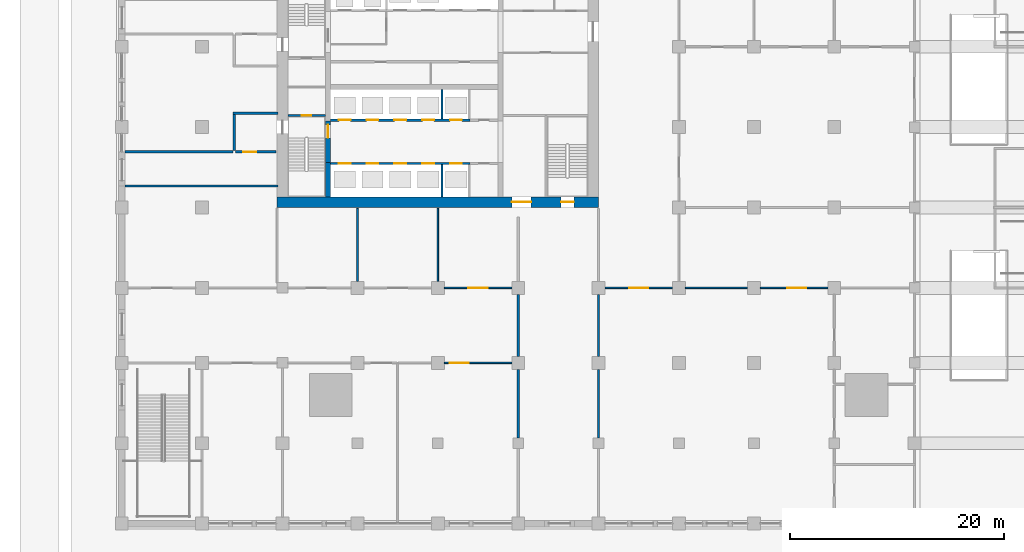
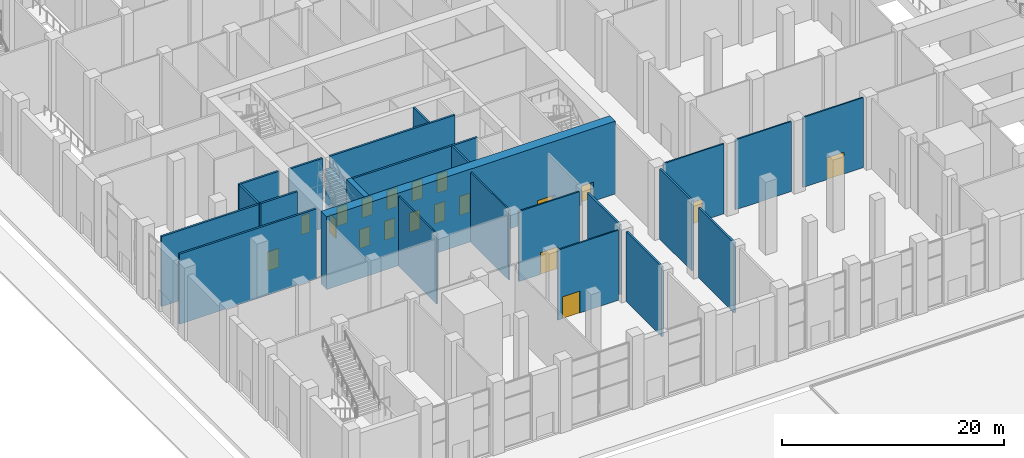
# One storey, part 25 of 57: 24 walls, 19 doors, 19 openings.
"""IFC4 building model written with IfcOpenShell, lengths in metres."""

from ifc_helpers import new_model, si_unit, direction, frame, frame_2d, origin, place, context, subcontext, project, spatial, rectangle, extrude, material, layer, layer_set, type_object, element, fill, save


model = new_model("IFC4")

# Units and contexts
model_context = context("Model", 3, precision=1e-05, world=origin(), true_north=direction((0.0, 1.0)))
body_context = subcontext(model_context, "Body", "Model", "MODEL_VIEW")
ifc_project = project(units=[si_unit("LENGTHUNIT", "METRE"), si_unit("AREAUNIT", "SQUARE_METRE"), si_unit("VOLUMEUNIT", "CUBIC_METRE"), si_unit("PLANEANGLEUNIT", "RADIAN"), si_unit("MASSUNIT", "GRAM", prefix="KILO")], contexts=[model_context])

# Site, building, storey
site_placement = place(None, origin())
site = spatial("IfcSite", under=ifc_project, at=site_placement, CompositionType="ELEMENT")
building_placement = place(site_placement, origin())
building = spatial("IfcBuilding", under=site, at=building_placement, Name="Tamorin Gate", CompositionType="ELEMENT")
storey_placement = place(building_placement, origin())
storey = spatial("IfcBuildingStorey", under=building, at=storey_placement, Name="L00", CompositionType="ELEMENT", Elevation=0.0)

# Walls
ifc_material_1 = material(Name="Reinforced concrete C32/40", Category="concrete")
ifc_layer_1 = layer(ifc_material_1, 0.199951171875)
ifc_layer_set_1 = layer_set([ifc_layer_1], Name="Exit passage wall 200")
wall_type_1 = type_object("IfcWallType", Name="Exit passage wall 200", PredefinedType="PARTITIONING", material=ifc_layer_set_1)
wall_1_placement = place(storey_placement, frame((15.800048828125, 62.0, 0.0), z_axis=(0.0, 0.0, 1.0), x_axis=(1.0, 0.0, 0.0)))
element("IfcWall", 1, at=wall_1_placement, inside=storey, type_object=wall_type_1, Name="Exit passage wall 200 L00", PredefinedType="PARTITIONING", context=body_context, shape_type="SweptSolid", body=[
    extrude(rectangle(XDim=14.27490234375, YDim=0.199951171875, at=frame_2d((7.137451171875, 0.0))), origin(), (0.0, 0.0, 1.0), 7.699951171875),
])
wall_2_placement = place(storey_placement, frame((15.800048828125, 65.199951171875, 0.0), z_axis=(0.0, 0.0, 1.0), x_axis=(1.0, 0.0, 0.0)))
element("IfcWall", 2, at=wall_2_placement, inside=storey, type_object=wall_type_1, Name="Exit passage wall 200 L00", PredefinedType="PARTITIONING", context=body_context, shape_type="SweptSolid", body=[
    extrude(rectangle(XDim=10.099853515625, YDim=0.199951171875, at=frame_2d((5.0498046875, 0.0))), origin(), (0.0, 0.0, 1.0), 7.699951171875),
])

# Wall, opening, door
wall_3_placement = place(storey_placement, frame((29.89990234375, 65.199951171875, 0.0), z_axis=(0.0, 0.0, 1.0), x_axis=(-1.0, 0.0, 0.0)))
wall_3 = element("IfcWall", 3, at=wall_3_placement, inside=storey, type_object=wall_type_1, Name="Exit passage wall 200 L00", PredefinedType="PARTITIONING", context=body_context, shape_type="SweptSolid", body=[
    extrude(rectangle(XDim=3.7998046875, YDim=0.199951171875, at=frame_2d((1.89990234375, 0.0))), origin(), (0.0, 0.0, 1.0), 7.699951171875),
])
opening_1_placement = place(wall_3_placement, frame((1.85009765625, 0.0, 0.0)))
opening_1 = element("IfcOpeningElement", 4, at=opening_1_placement, cuts=wall_3, Name="Opening DP5", PredefinedType="OPENING", context=body_context, shape_type="SweptSolid", body=[
    extrude(rectangle(XDim=1.199951171875, YDim=2.10009765625, at=frame_2d((0.60009765625, 1.050048828125))), frame((0.0, 0.10986328125, 0.0), z_axis=(0.0, -1.0, 0.0), x_axis=(1.0, 0.0, 0.0)), (0.0, 0.0, 1.0), 0.219970703125),
])
ifc_material_2 = material(Name="Painted steel", Category="steel")
door_type_1 = type_object("IfcDoorType", Name="Stair door 1200", OperationType="SINGLE_SWING_LEFT", PredefinedType="DOOR", material=ifc_material_2)
door_1_placement = place(opening_1_placement, origin())
door_1 = element("IfcDoor", 5, at=door_1_placement, inside=storey, type_object=door_type_1, Name="Stair door 1200 L00", OperationType="SINGLE_SWING_LEFT", OverallHeight=2.10009765625, OverallWidth=1.199951171875, PredefinedType="DOOR", context=body_context, shape_type="SweptSolid", body=[
    extrude(rectangle(XDim=1.199951171875, YDim=2.10009765625, at=frame_2d((0.60009765625, 1.050048828125))), frame((0.0, 0.02490234375, 0.0), z_axis=(0.0, -1.0, 0.0), x_axis=(1.0, 0.0, 0.0)), (0.0, 0.0, 1.0), 0.050048828125),
])
fill(opening_1, door_1)

# Walls
wall_4_placement = place(storey_placement, frame((25.89990234375, 68.800048828125, 0.0), z_axis=(0.0, 0.0, 1.0), x_axis=(1.0, 0.0, 0.0)))
element("IfcWall", 6, at=wall_4_placement, inside=storey, type_object=wall_type_1, Name="Exit passage wall 200 L00", PredefinedType="PARTITIONING", context=body_context, shape_type="SweptSolid", body=[
    extrude(rectangle(XDim=4.2001953125, YDim=0.199951171875, at=frame_2d((2.10009765625, 0.0))), origin(), (0.0, 0.0, 1.0), 7.699951171875),
])
wall_5_placement = place(storey_placement, frame((52.5, 38.5, 0.0), z_axis=(0.0, 0.0, 1.0), x_axis=(0.0, 1.0, 0.0)))
element("IfcWall", 7, at=wall_5_placement, inside=storey, type_object=wall_type_1, Name="Exit passage wall 200 L00", PredefinedType="PARTITIONING", context=body_context, shape_type="SweptSolid", body=[
    extrude(rectangle(XDim=6.39990234375, YDim=0.199951171875, at=frame_2d((3.199951171875, 0.0))), origin(), (0.0, 0.0, 1.0), 7.699951171875),
])
wall_6_placement = place(storey_placement, frame((52.5, 46.10009765625, 0.0), z_axis=(0.0, 0.0, 1.0), x_axis=(0.0, 1.0, 0.0)))
element("IfcWall", 8, at=wall_6_placement, inside=storey, type_object=wall_type_1, Name="Exit passage wall 200 L00", PredefinedType="PARTITIONING", context=body_context, shape_type="SweptSolid", body=[
    extrude(rectangle(XDim=5.7998046875, YDim=0.199951171875, at=frame_2d((2.89990234375, 0.0))), origin(), (0.0, 0.0, 1.0), 7.699951171875),
])
wall_7_placement = place(storey_placement, frame((60.0, 38.5, 0.0), z_axis=(0.0, 0.0, 1.0), x_axis=(0.0, 1.0, 0.0)))
element("IfcWall", 9, at=wall_7_placement, inside=storey, type_object=wall_type_1, Name="Exit passage wall 200 L00", PredefinedType="PARTITIONING", context=body_context, shape_type="SweptSolid", body=[
    extrude(rectangle(XDim=6.39990234375, YDim=0.199951171875, at=frame_2d((3.199951171875, 0.0))), origin(), (0.0, 0.0, 1.0), 7.699951171875),
])
wall_8_placement = place(storey_placement, frame((60.0, 46.10009765625, 0.0), z_axis=(0.0, 0.0, 1.0), x_axis=(0.0, 1.0, 0.0)))
element("IfcWall", 10, at=wall_8_placement, inside=storey, type_object=wall_type_1, Name="Exit passage wall 200 L00", PredefinedType="PARTITIONING", context=body_context, shape_type="SweptSolid", body=[
    extrude(rectangle(XDim=5.7998046875, YDim=0.199951171875, at=frame_2d((2.89990234375, 0.0))), origin(), (0.0, 0.0, 1.0), 7.699951171875),
])
wall_9_placement = place(storey_placement, frame((26.0, 65.300048828125, 0.0), z_axis=(0.0, 0.0, 1.0), x_axis=(0.0, 1.0, 0.0)))
element("IfcWall", 11, at=wall_9_placement, inside=storey, type_object=wall_type_1, Name="Exit passage wall 200 L00", PredefinedType="PARTITIONING", context=body_context, shape_type="SweptSolid", body=[
    extrude(rectangle(XDim=3.39990234375, YDim=0.199951171875, at=frame_2d((1.699951171875, 0.0))), origin(), (0.0, 0.0, 1.0), 7.699951171875),
])

# Wall, openings, doors
ifc_material_3 = material(Name="Concrete C32/40", Category="concrete")
ifc_layer_2 = layer(ifc_material_3, 0.199951171875)
ifc_layer_set_2 = layer_set([ifc_layer_2], Name="Lift lobby face wall 200 EI 120")
wall_type_2 = type_object("IfcWallType", Name="Lift lobby face wall 200 EI 120", PredefinedType="SOLIDWALL", material=ifc_layer_set_2)
wall_10_placement = place(storey_placement, frame((35.0, 64.10009765625, 0.0), z_axis=(0.0, 0.0, 1.0), x_axis=(1.0, 0.0, 0.0)))
wall_10 = element("IfcWall", 12, at=wall_10_placement, inside=storey, type_object=wall_type_2, Name="Lift lobby face wall", PredefinedType="SOLIDWALL", context=body_context, shape_type="SweptSolid", body=[
    extrude(rectangle(XDim=13.0, YDim=0.199951171875, at=frame_2d((6.5, 0.0))), origin(), (0.0, 0.0, 1.0), 8.0),
])
opening_2_placement = place(wall_10_placement, frame((0.75, 0.0, 0.0)))
opening_2 = element("IfcOpeningElement", 13, at=opening_2_placement, cuts=wall_10, Name="Opening LD1", PredefinedType="OPENING", context=body_context, shape_type="SweptSolid", body=[
    extrude(rectangle(XDim=1.10009765625, YDim=2.10009765625, at=frame_2d((0.550048828125, 1.050048828125))), frame((0.0, 0.10986328125, 0.0), z_axis=(0.0, -1.0, 0.0), x_axis=(1.0, 0.0, 0.0)), (0.0, 0.0, 1.0), 0.219970703125),
])
opening_3_placement = place(wall_10_placement, frame((3.35009765625, 0.0, 0.0)))
opening_3 = element("IfcOpeningElement", 14, at=opening_3_placement, cuts=wall_10, Name="Opening LD2", PredefinedType="OPENING", context=body_context, shape_type="SweptSolid", body=[
    extrude(rectangle(XDim=1.10009765625, YDim=2.10009765625, at=frame_2d((0.550048828125, 1.050048828125))), frame((0.0, 0.10986328125, 0.0), z_axis=(0.0, -1.0, 0.0), x_axis=(1.0, 0.0, 0.0)), (0.0, 0.0, 1.0), 0.219970703125),
])
opening_4_placement = place(wall_10_placement, frame((5.949951171875, 0.0, 0.0)))
opening_4 = element("IfcOpeningElement", 15, at=opening_4_placement, cuts=wall_10, Name="Opening LD3", PredefinedType="OPENING", context=body_context, shape_type="SweptSolid", body=[
    extrude(rectangle(XDim=1.10009765625, YDim=2.10009765625, at=frame_2d((0.550048828125, 1.050048828125))), frame((0.0, 0.10986328125, 0.0), z_axis=(0.0, -1.0, 0.0), x_axis=(1.0, 0.0, 0.0)), (0.0, 0.0, 1.0), 0.219970703125),
])
opening_5_placement = place(wall_10_placement, frame((8.550048828125, 0.0, 0.0)))
opening_5 = element("IfcOpeningElement", 16, at=opening_5_placement, cuts=wall_10, Name="Opening LD4", PredefinedType="OPENING", context=body_context, shape_type="SweptSolid", body=[
    extrude(rectangle(XDim=1.10009765625, YDim=2.10009765625, at=frame_2d((0.550048828125, 1.050048828125))), frame((0.0, 0.10986328125, 0.0), z_axis=(0.0, -1.0, 0.0), x_axis=(1.0, 0.0, 0.0)), (0.0, 0.0, 1.0), 0.219970703125),
])
opening_6_placement = place(wall_10_placement, frame((11.14990234375, 0.0, 0.0)))
opening_6 = element("IfcOpeningElement", 17, at=opening_6_placement, cuts=wall_10, Name="Opening LD5", PredefinedType="OPENING", context=body_context, shape_type="SweptSolid", body=[
    extrude(rectangle(XDim=1.10009765625, YDim=2.10009765625, at=frame_2d((0.550048828125, 1.050048828125))), frame((0.0, 0.10986328125, 0.0), z_axis=(0.0, -1.0, 0.0), x_axis=(1.0, 0.0, 0.0)), (0.0, 0.0, 1.0), 0.219970703125),
])
ifc_material_4 = material(Name="Stainless steel sliding door", Category="steel")
door_type_2 = type_object("IfcDoorType", Name="Lift landing door 1100 x 2100 E 90", OperationType="DOUBLE_DOOR_SLIDING", PredefinedType="DOOR", material=ifc_material_4)
door_2_placement = place(opening_2_placement, origin())
door_2 = element("IfcDoor", 18, at=door_2_placement, inside=storey, type_object=door_type_2, Name="LR1 landing door", OperationType="DOUBLE_DOOR_SLIDING", OverallHeight=2.10009765625, OverallWidth=1.10009765625, PredefinedType="DOOR", context=body_context, shape_type="SweptSolid", body=[
    extrude(rectangle(XDim=1.10009765625, YDim=2.10009765625, at=frame_2d((0.550048828125, 1.050048828125))), frame((0.0, 0.02490234375, 0.0), z_axis=(0.0, -1.0, 0.0), x_axis=(1.0, 0.0, 0.0)), (0.0, 0.0, 1.0), 0.050048828125),
])
fill(opening_2, door_2)
door_3_placement = place(opening_3_placement, origin())
door_3 = element("IfcDoor", 19, at=door_3_placement, inside=storey, type_object=door_type_2, Name="LR2 landing door", OperationType="DOUBLE_DOOR_SLIDING", OverallHeight=2.10009765625, OverallWidth=1.10009765625, PredefinedType="DOOR", context=body_context, shape_type="SweptSolid", body=[
    extrude(rectangle(XDim=1.10009765625, YDim=2.10009765625, at=frame_2d((0.550048828125, 1.050048828125))), frame((0.0, 0.02490234375, 0.0), z_axis=(0.0, -1.0, 0.0), x_axis=(1.0, 0.0, 0.0)), (0.0, 0.0, 1.0), 0.050048828125),
])
fill(opening_3, door_3)
door_4_placement = place(opening_4_placement, origin())
door_4 = element("IfcDoor", 20, at=door_4_placement, inside=storey, type_object=door_type_2, Name="LR3 landing door", OperationType="DOUBLE_DOOR_SLIDING", OverallHeight=2.10009765625, OverallWidth=1.10009765625, PredefinedType="DOOR", context=body_context, shape_type="SweptSolid", body=[
    extrude(rectangle(XDim=1.10009765625, YDim=2.10009765625, at=frame_2d((0.550048828125, 1.050048828125))), frame((0.0, 0.02490234375, 0.0), z_axis=(0.0, -1.0, 0.0), x_axis=(1.0, 0.0, 0.0)), (0.0, 0.0, 1.0), 0.050048828125),
])
fill(opening_4, door_4)
door_5_placement = place(opening_5_placement, origin())
door_5 = element("IfcDoor", 21, at=door_5_placement, inside=storey, type_object=door_type_2, Name="LR4 landing door", OperationType="DOUBLE_DOOR_SLIDING", OverallHeight=2.10009765625, OverallWidth=1.10009765625, PredefinedType="DOOR", context=body_context, shape_type="SweptSolid", body=[
    extrude(rectangle(XDim=1.10009765625, YDim=2.10009765625, at=frame_2d((0.550048828125, 1.050048828125))), frame((0.0, 0.02490234375, 0.0), z_axis=(0.0, -1.0, 0.0), x_axis=(1.0, 0.0, 0.0)), (0.0, 0.0, 1.0), 0.050048828125),
])
fill(opening_5, door_5)
door_6_placement = place(opening_6_placement, origin())
door_6 = element("IfcDoor", 22, at=door_6_placement, inside=storey, type_object=door_type_2, Name="LR5 landing door", OperationType="DOUBLE_DOOR_SLIDING", OverallHeight=2.10009765625, OverallWidth=1.10009765625, PredefinedType="DOOR", context=body_context, shape_type="SweptSolid", body=[
    extrude(rectangle(XDim=1.10009765625, YDim=2.10009765625, at=frame_2d((0.550048828125, 1.050048828125))), frame((0.0, 0.02490234375, 0.0), z_axis=(0.0, -1.0, 0.0), x_axis=(1.0, 0.0, 0.0)), (0.0, 0.0, 1.0), 0.050048828125),
])
fill(opening_6, door_6)

wall_11_placement = place(storey_placement, frame((35.0, 68.14990234375, 0.0), z_axis=(0.0, 0.0, 1.0), x_axis=(1.0, 0.0, 0.0)))
wall_11 = element("IfcWall", 23, at=wall_11_placement, inside=storey, type_object=wall_type_2, Name="Lift lobby face wall", PredefinedType="SOLIDWALL", context=body_context, shape_type="SweptSolid", body=[
    extrude(rectangle(XDim=13.0, YDim=0.199951171875, at=frame_2d((6.5, 0.0))), origin(), (0.0, 0.0, 1.0), 8.0),
])
opening_7_placement = place(wall_11_placement, frame((0.75, 0.0, 0.0)))
opening_7 = element("IfcOpeningElement", 24, at=opening_7_placement, cuts=wall_11, Name="Opening LD6", PredefinedType="OPENING", context=body_context, shape_type="SweptSolid", body=[
    extrude(rectangle(XDim=1.10009765625, YDim=2.10009765625, at=frame_2d((0.550048828125, 1.050048828125))), frame((0.0, 0.10986328125, 0.0), z_axis=(0.0, -1.0, 0.0), x_axis=(1.0, 0.0, 0.0)), (0.0, 0.0, 1.0), 0.219970703125),
])
opening_8_placement = place(wall_11_placement, frame((3.35009765625, 0.0, 0.0)))
opening_8 = element("IfcOpeningElement", 25, at=opening_8_placement, cuts=wall_11, Name="Opening LD7", PredefinedType="OPENING", context=body_context, shape_type="SweptSolid", body=[
    extrude(rectangle(XDim=1.10009765625, YDim=2.10009765625, at=frame_2d((0.550048828125, 1.050048828125))), frame((0.0, 0.10986328125, 0.0), z_axis=(0.0, -1.0, 0.0), x_axis=(1.0, 0.0, 0.0)), (0.0, 0.0, 1.0), 0.219970703125),
])
opening_9_placement = place(wall_11_placement, frame((5.949951171875, 0.0, 0.0)))
opening_9 = element("IfcOpeningElement", 26, at=opening_9_placement, cuts=wall_11, Name="Opening LD8", PredefinedType="OPENING", context=body_context, shape_type="SweptSolid", body=[
    extrude(rectangle(XDim=1.10009765625, YDim=2.10009765625, at=frame_2d((0.550048828125, 1.050048828125))), frame((0.0, 0.10986328125, 0.0), z_axis=(0.0, -1.0, 0.0), x_axis=(1.0, 0.0, 0.0)), (0.0, 0.0, 1.0), 0.219970703125),
])
opening_10_placement = place(wall_11_placement, frame((8.550048828125, 0.0, 0.0)))
opening_10 = element("IfcOpeningElement", 27, at=opening_10_placement, cuts=wall_11, Name="Opening LD9", PredefinedType="OPENING", context=body_context, shape_type="SweptSolid", body=[
    extrude(rectangle(XDim=1.10009765625, YDim=2.10009765625, at=frame_2d((0.550048828125, 1.050048828125))), frame((0.0, 0.10986328125, 0.0), z_axis=(0.0, -1.0, 0.0), x_axis=(1.0, 0.0, 0.0)), (0.0, 0.0, 1.0), 0.219970703125),
])
opening_11_placement = place(wall_11_placement, frame((11.14990234375, 0.0, 0.0)))
opening_11 = element("IfcOpeningElement", 28, at=opening_11_placement, cuts=wall_11, Name="Opening LD10", PredefinedType="OPENING", context=body_context, shape_type="SweptSolid", body=[
    extrude(rectangle(XDim=1.10009765625, YDim=2.10009765625, at=frame_2d((0.550048828125, 1.050048828125))), frame((0.0, 0.10986328125, 0.0), z_axis=(0.0, -1.0, 0.0), x_axis=(1.0, 0.0, 0.0)), (0.0, 0.0, 1.0), 0.219970703125),
])
door_7_placement = place(opening_7_placement, origin())
door_7 = element("IfcDoor", 29, at=door_7_placement, inside=storey, type_object=door_type_2, Name="LR6 landing door", OperationType="DOUBLE_DOOR_SLIDING", OverallHeight=2.10009765625, OverallWidth=1.10009765625, PredefinedType="DOOR", context=body_context, shape_type="SweptSolid", body=[
    extrude(rectangle(XDim=1.10009765625, YDim=2.10009765625, at=frame_2d((0.550048828125, 1.050048828125))), frame((0.0, 0.02490234375, 0.0), z_axis=(0.0, -1.0, 0.0), x_axis=(1.0, 0.0, 0.0)), (0.0, 0.0, 1.0), 0.050048828125),
])
fill(opening_7, door_7)
door_8_placement = place(opening_8_placement, origin())
door_8 = element("IfcDoor", 30, at=door_8_placement, inside=storey, type_object=door_type_2, Name="SH1 landing door", OperationType="DOUBLE_DOOR_SLIDING", OverallHeight=2.10009765625, OverallWidth=1.10009765625, PredefinedType="DOOR", context=body_context, shape_type="SweptSolid", body=[
    extrude(rectangle(XDim=1.10009765625, YDim=2.10009765625, at=frame_2d((0.550048828125, 1.050048828125))), frame((0.0, 0.02490234375, 0.0), z_axis=(0.0, -1.0, 0.0), x_axis=(1.0, 0.0, 0.0)), (0.0, 0.0, 1.0), 0.050048828125),
])
fill(opening_8, door_8)
door_9_placement = place(opening_9_placement, origin())
door_9 = element("IfcDoor", 31, at=door_9_placement, inside=storey, type_object=door_type_2, Name="SH2 landing door", OperationType="DOUBLE_DOOR_SLIDING", OverallHeight=2.10009765625, OverallWidth=1.10009765625, PredefinedType="DOOR", context=body_context, shape_type="SweptSolid", body=[
    extrude(rectangle(XDim=1.10009765625, YDim=2.10009765625, at=frame_2d((0.550048828125, 1.050048828125))), frame((0.0, 0.02490234375, 0.0), z_axis=(0.0, -1.0, 0.0), x_axis=(1.0, 0.0, 0.0)), (0.0, 0.0, 1.0), 0.050048828125),
])
fill(opening_9, door_9)
door_10_placement = place(opening_10_placement, origin())
door_10 = element("IfcDoor", 32, at=door_10_placement, inside=storey, type_object=door_type_2, Name="SH3 landing door", OperationType="DOUBLE_DOOR_SLIDING", OverallHeight=2.10009765625, OverallWidth=1.10009765625, PredefinedType="DOOR", context=body_context, shape_type="SweptSolid", body=[
    extrude(rectangle(XDim=1.10009765625, YDim=2.10009765625, at=frame_2d((0.550048828125, 1.050048828125))), frame((0.0, 0.02490234375, 0.0), z_axis=(0.0, -1.0, 0.0), x_axis=(1.0, 0.0, 0.0)), (0.0, 0.0, 1.0), 0.050048828125),
])
fill(opening_10, door_10)
door_11_placement = place(opening_11_placement, origin())
door_11 = element("IfcDoor", 33, at=door_11_placement, inside=storey, type_object=door_type_2, Name="SH4 landing door", OperationType="DOUBLE_DOOR_SLIDING", OverallHeight=2.10009765625, OverallWidth=1.10009765625, PredefinedType="DOOR", context=body_context, shape_type="SweptSolid", body=[
    extrude(rectangle(XDim=1.10009765625, YDim=2.10009765625, at=frame_2d((0.550048828125, 1.050048828125))), frame((0.0, 0.02490234375, 0.0), z_axis=(0.0, -1.0, 0.0), x_axis=(1.0, 0.0, 0.0)), (0.0, 0.0, 1.0), 0.050048828125),
])
fill(opening_11, door_11)

# Walls
ifc_layer_3 = layer(ifc_material_3, 0.199951171875)
ifc_layer_set_3 = layer_set([ifc_layer_3], Name="Lift shaft wall 200 EI 120")
wall_type_3 = type_object("IfcWallType", Name="Lift shaft wall 200 EI 120", PredefinedType="SOLIDWALL", material=ifc_layer_set_3)
wall_12_placement = place(storey_placement, frame((45.39990234375, 61.0, 0.0), z_axis=(0.0, 0.0, 1.0), x_axis=(0.0, 1.0, 0.0)))
element("IfcWall", 34, at=wall_12_placement, inside=storey, type_object=wall_type_3, Name="Lift shaft wall", PredefinedType="SOLIDWALL", context=body_context, shape_type="SweptSolid", body=[
    extrude(rectangle(XDim=3.0, YDim=0.199951171875, at=frame_2d((1.5, 0.0))), origin(), (0.0, 0.0, 1.0), 8.0),
])
wall_13_placement = place(storey_placement, frame((45.39990234375, 68.25, 0.0), z_axis=(0.0, 0.0, 1.0), x_axis=(0.0, 1.0, 0.0)))
element("IfcWall", 35, at=wall_13_placement, inside=storey, type_object=wall_type_3, Name="Lift shaft wall", PredefinedType="SOLIDWALL", context=body_context, shape_type="SweptSolid", body=[
    extrude(rectangle(XDim=2.75, YDim=0.199951171875, at=frame_2d((1.375, 0.0))), origin(), (0.0, 0.0, 1.0), 8.0),
])

# Wall, opening, door
ifc_material_5 = material(Name="Concrete masonry C20/25", Category="masonry")
ifc_layer_4 = layer(ifc_material_5, 0.14990234375)
ifc_layer_set_4 = layer_set([ifc_layer_4], Name="Partition 150")
wall_type_4 = type_object("IfcWallType", Name="Partition 150", PredefinedType="PARTITIONING", material=ifc_layer_set_4)
wall_14_placement = place(storey_placement, frame((45.60009765625, 45.5, 0.0), z_axis=(0.0, 0.0, 1.0), x_axis=(1.0, 0.0, 0.0)))
wall_14 = element("IfcWall", 36, at=wall_14_placement, inside=storey, type_object=wall_type_4, Name="Partition 150 L00", PredefinedType="PARTITIONING", context=body_context, shape_type="SweptSolid", body=[
    extrude(rectangle(XDim=6.2998046875, YDim=0.14990234375, at=frame_2d((3.14990234375, 0.0))), origin(), (0.0, 0.0, 1.0), 7.699951171875),
])
opening_12_placement = place(wall_14_placement, frame((0.5, 0.0, 0.0)))
opening_12 = element("IfcOpeningElement", 37, at=opening_12_placement, cuts=wall_14, Name="Opening DP3", PredefinedType="OPENING", context=body_context, shape_type="SweptSolid", body=[
    extrude(rectangle(XDim=1.800048828125, YDim=2.39990234375, at=frame_2d((0.89990234375, 1.199951171875))), frame((0.0, 0.0849609375, 0.0), z_axis=(0.0, -1.0, 0.0), x_axis=(1.0, 0.0, 0.0)), (0.0, 0.0, 1.0), 0.169921875),
])
ifc_material_6 = material(Name="Steel and glass", Category="steel")
door_type_3 = type_object("IfcDoorType", Name="Door pair 1800", OperationType="DOUBLE_DOOR_SINGLE_SWING", PredefinedType="DOOR", material=ifc_material_6)
door_12_placement = place(opening_12_placement, origin())
door_12 = element("IfcDoor", 38, at=door_12_placement, inside=storey, type_object=door_type_3, Name="Door pair 1800 L00", OperationType="SINGLE_SWING_LEFT", OverallHeight=2.39990234375, OverallWidth=1.800048828125, PredefinedType="DOOR", context=body_context, shape_type="SweptSolid", body=[
    extrude(rectangle(XDim=1.800048828125, YDim=2.39990234375, at=frame_2d((0.89990234375, 1.199951171875))), frame((0.0, 0.02490234375, 0.0), z_axis=(0.0, -1.0, 0.0), x_axis=(1.0, 0.0, 0.0)), (0.0, 0.0, 1.0), 0.050048828125),
])
fill(opening_12, door_12)

wall_15_placement = place(storey_placement, frame((51.89990234375, 52.5, 0.0), z_axis=(0.0, 0.0, 1.0), x_axis=(-1.0, 0.0, 0.0)))
wall_15 = element("IfcWall", 39, at=wall_15_placement, inside=storey, type_object=wall_type_4, Name="Partition 150 L00", PredefinedType="PARTITIONING", context=body_context, shape_type="SweptSolid", body=[
    extrude(rectangle(XDim=6.2998046875, YDim=0.14990234375, at=frame_2d((3.14990234375, 0.0))), origin(), (0.0, 0.0, 1.0), 7.699951171875),
])
opening_13_placement = place(wall_15_placement, frame((2.25, 0.0, 0.0)))
opening_13 = element("IfcOpeningElement", 40, at=opening_13_placement, cuts=wall_15, Name="Opening DP3", PredefinedType="OPENING", context=body_context, shape_type="SweptSolid", body=[
    extrude(rectangle(XDim=1.800048828125, YDim=2.39990234375, at=frame_2d((0.89990234375, 1.199951171875))), frame((0.0, 0.0849609375, 0.0), z_axis=(0.0, -1.0, 0.0), x_axis=(1.0, 0.0, 0.0)), (0.0, 0.0, 1.0), 0.169921875),
])
door_13_placement = place(opening_13_placement, origin())
door_13 = element("IfcDoor", 41, at=door_13_placement, inside=storey, type_object=door_type_3, Name="Door pair 1800 L00", OperationType="SINGLE_SWING_LEFT", OverallHeight=2.39990234375, OverallWidth=1.800048828125, PredefinedType="DOOR", context=body_context, shape_type="SweptSolid", body=[
    extrude(rectangle(XDim=1.800048828125, YDim=2.39990234375, at=frame_2d((0.89990234375, 1.199951171875))), frame((0.0, 0.02490234375, 0.0), z_axis=(0.0, -1.0, 0.0), x_axis=(1.0, 0.0, 0.0)), (0.0, 0.0, 1.0), 0.050048828125),
])
fill(opening_13, door_13)

wall_16_placement = place(storey_placement, frame((66.89990234375, 52.5, 0.0), z_axis=(0.0, 0.0, 1.0), x_axis=(-1.0, 0.0, 0.0)))
wall_16 = element("IfcWall", 42, at=wall_16_placement, inside=storey, type_object=wall_type_4, Name="Partition 150 L00", PredefinedType="PARTITIONING", context=body_context, shape_type="SweptSolid", body=[
    extrude(rectangle(XDim=6.2998046875, YDim=0.14990234375, at=frame_2d((3.14990234375, 0.0))), origin(), (0.0, 0.0, 1.0), 7.699951171875),
])
opening_14_placement = place(wall_16_placement, frame((2.25, 0.0, 0.0)))
opening_14 = element("IfcOpeningElement", 43, at=opening_14_placement, cuts=wall_16, Name="Opening DP3", PredefinedType="OPENING", context=body_context, shape_type="SweptSolid", body=[
    extrude(rectangle(XDim=1.800048828125, YDim=2.39990234375, at=frame_2d((0.89990234375, 1.199951171875))), frame((0.0, 0.0849609375, 0.0), z_axis=(0.0, -1.0, 0.0), x_axis=(1.0, 0.0, 0.0)), (0.0, 0.0, 1.0), 0.169921875),
])
door_14_placement = place(opening_14_placement, origin())
door_14 = element("IfcDoor", 44, at=door_14_placement, inside=storey, type_object=door_type_3, Name="Door pair 1800 L00", OperationType="SINGLE_SWING_LEFT", OverallHeight=2.39990234375, OverallWidth=1.800048828125, PredefinedType="DOOR", context=body_context, shape_type="SweptSolid", body=[
    extrude(rectangle(XDim=1.800048828125, YDim=2.39990234375, at=frame_2d((0.89990234375, 1.199951171875))), frame((0.0, 0.02490234375, 0.0), z_axis=(0.0, -1.0, 0.0), x_axis=(1.0, 0.0, 0.0)), (0.0, 0.0, 1.0), 0.050048828125),
])
fill(opening_14, door_14)

# Wall
wall_17_placement = place(storey_placement, frame((68.10009765625, 52.5, 0.0), z_axis=(0.0, 0.0, 1.0), x_axis=(1.0, 0.0, 0.0)))
element("IfcWall", 45, at=wall_17_placement, inside=storey, type_object=wall_type_4, Name="Partition 150 L00", PredefinedType="PARTITIONING", context=body_context, shape_type="SweptSolid", body=[
    extrude(rectangle(XDim=5.7998046875, YDim=0.14990234375, at=frame_2d((2.89990234375, 0.0))), origin(), (0.0, 0.0, 1.0), 7.699951171875),
])

# Wall, opening, door
wall_18_placement = place(storey_placement, frame((81.39990234375, 52.5, 0.0), z_axis=(0.0, 0.0, 1.0), x_axis=(-1.0, 0.0, 0.0)))
wall_18 = element("IfcWall", 46, at=wall_18_placement, inside=storey, type_object=wall_type_4, Name="Partition 150 L00", PredefinedType="PARTITIONING", context=body_context, shape_type="SweptSolid", body=[
    extrude(rectangle(XDim=6.2998046875, YDim=0.14990234375, at=frame_2d((3.14990234375, 0.0))), origin(), (0.0, 0.0, 1.0), 7.699951171875),
])
opening_15_placement = place(wall_18_placement, frame((2.0, 0.0, 0.0)))
opening_15 = element("IfcOpeningElement", 47, at=opening_15_placement, cuts=wall_18, Name="Opening DP3", PredefinedType="OPENING", context=body_context, shape_type="SweptSolid", body=[
    extrude(rectangle(XDim=1.800048828125, YDim=2.39990234375, at=frame_2d((0.89990234375, 1.199951171875))), frame((0.0, 0.0849609375, 0.0), z_axis=(0.0, -1.0, 0.0), x_axis=(1.0, 0.0, 0.0)), (0.0, 0.0, 1.0), 0.169921875),
])
door_15_placement = place(opening_15_placement, origin())
door_15 = element("IfcDoor", 48, at=door_15_placement, inside=storey, type_object=door_type_3, Name="Door pair 1800 L00", OperationType="SINGLE_SWING_LEFT", OverallHeight=2.39990234375, OverallWidth=1.800048828125, PredefinedType="DOOR", context=body_context, shape_type="SweptSolid", body=[
    extrude(rectangle(XDim=1.800048828125, YDim=2.39990234375, at=frame_2d((0.89990234375, 1.199951171875))), frame((0.0, 0.02490234375, 0.0), z_axis=(0.0, -1.0, 0.0), x_axis=(1.0, 0.0, 0.0)), (0.0, 0.0, 1.0), 0.050048828125),
])
fill(opening_15, door_15)

# Walls
for number, where, z_axis, x_axis, name in (
    (49, (37.5, 53.10009765625, 0.0), (0.0, 0.0, 1.0), (0.0, 1.0, 0.0), "Partition 150 L00"),
    (50, (45.0, 53.10009765625, 0.0), (0.0, 0.0, 1.0), (0.0, 1.0, 0.0), "Partition 150 L00"),
):
    element("IfcWall", number, at=place(storey_placement, frame(where, z_axis=z_axis, x_axis=x_axis)), inside=storey, type_object=wall_type_4, Name=name, PredefinedType="PARTITIONING", context=body_context, shape_type="SweptSolid", body=[
        extrude(rectangle(XDim=6.824951171875, YDim=0.14990234375, at=frame_2d((3.41259765625, 0.0))), origin(), (0.0, 0.0, 1.0), 7.699951171875),
    ])
ifc_material_7 = material(Name="Concrete C80/95", Category="concrete")
ifc_layer_5 = layer(ifc_material_7, 0.5)
ifc_layer_set_5 = layer_set([ifc_layer_5], Name="RC core internal wall 500 C80/95")
wall_type_5 = type_object("IfcWallType", Name="RC core internal wall 500 C80/95", PredefinedType="SHEAR", material=ifc_layer_set_5)
wall_19_placement = place(storey_placement, frame((34.75, 61.0, 0.0), z_axis=(0.0, 0.0, 1.0), x_axis=(0.0, 1.0, 0.0)))
element("IfcWall", 51, at=wall_19_placement, inside=storey, type_object=wall_type_5, Name="Core cross wall L00", PredefinedType="SHEAR", context=body_context, shape_type="SweptSolid", body=[
    extrude(rectangle(XDim=3.199951171875, YDim=0.5, at=frame_2d((1.60009765625, 0.0))), origin(), (0.0, 0.0, 1.0), 8.0),
])

# Wall, openings, doors
ifc_layer_6 = layer(ifc_material_7, 1.0)
ifc_layer_set_6 = layer_set([ifc_layer_6], Name="RC core wall 1000 C80/95")
wall_type_6 = type_object("IfcWallType", Name="RC core wall 1000 C80/95", PredefinedType="SHEAR", material=ifc_layer_set_6)
wall_20_placement = place(storey_placement, frame((30.0, 60.5, 0.0), z_axis=(0.0, 0.0, 1.0), x_axis=(1.0, 0.0, 0.0)))
wall_20 = element("IfcWall", 52, at=wall_20_placement, inside=storey, type_object=wall_type_6, Name="Core wall L00", PredefinedType="SHEAR", context=body_context, shape_type="SweptSolid", body=[
    extrude(rectangle(XDim=30.0, YDim=1.0, at=frame_2d((15.0, 0.0))), origin(), (0.0, 0.0, 1.0), 8.0),
])
opening_16_placement = place(wall_20_placement, frame((21.89990234375, 0.0, 0.0)))
opening_16 = element("IfcOpeningElement", 53, at=opening_16_placement, cuts=wall_20, Name="Opening DE1", PredefinedType="OPENING", context=body_context, shape_type="SweptSolid", body=[
    extrude(rectangle(XDim=1.800048828125, YDim=2.10009765625, at=frame_2d((0.89990234375, 1.050048828125))), frame((0.0, 0.510009765625, 0.0), z_axis=(0.0, -1.0, 0.0), x_axis=(1.0, 0.0, 0.0)), (0.0, 0.0, 1.0), 1.02001953125),
])
opening_17_placement = place(wall_20_placement, frame((26.5, 0.0, 0.0)))
opening_17 = element("IfcOpeningElement", 54, at=opening_17_placement, cuts=wall_20, Name="Opening DS1", PredefinedType="OPENING", context=body_context, shape_type="SweptSolid", body=[
    extrude(rectangle(XDim=1.199951171875, YDim=2.10009765625, at=frame_2d((0.60009765625, 1.050048828125))), frame((0.0, 0.510009765625, 0.0), z_axis=(0.0, -1.0, 0.0), x_axis=(1.0, 0.0, 0.0)), (0.0, 0.0, 1.0), 1.02001953125),
])
ifc_material_8 = material(Name="Steel fire door", Category="steel")
door_type_4 = type_object("IfcDoorType", Name="Lobby exit double door 1800 x 2100 EI 60", OperationType="DOUBLE_DOOR_SINGLE_SWING", PredefinedType="DOOR", material=ifc_material_8)
door_16_placement = place(opening_16_placement, origin())
door_16 = element("IfcDoor", 55, at=door_16_placement, inside=storey, type_object=door_type_4, Name="Lift lobby A exit door", OperationType="DOUBLE_DOOR_SINGLE_SWING", OverallHeight=2.10009765625, OverallWidth=1.800048828125, PredefinedType="DOOR", context=body_context, shape_type="SweptSolid", body=[
    extrude(rectangle(XDim=1.800048828125, YDim=2.10009765625, at=frame_2d((0.89990234375, 1.050048828125))), frame((0.0, 0.02490234375, 0.0), z_axis=(0.0, -1.0, 0.0), x_axis=(1.0, 0.0, 0.0)), (0.0, 0.0, 1.0), 0.050048828125),
])
fill(opening_16, door_16)
door_type_5 = type_object("IfcDoorType", Name="Stair door 1200 x 2100 EI 90", OperationType="SINGLE_SWING_LEFT", PredefinedType="DOOR", material=ifc_material_8)
door_17_placement = place(opening_17_placement, origin())
door_17 = element("IfcDoor", 56, at=door_17_placement, inside=storey, type_object=door_type_5, Name="ST3 door", OperationType="SINGLE_SWING_LEFT", OverallHeight=2.10009765625, OverallWidth=1.199951171875, PredefinedType="DOOR", context=body_context, shape_type="SweptSolid", body=[
    extrude(rectangle(XDim=1.199951171875, YDim=2.10009765625, at=frame_2d((0.60009765625, 1.050048828125))), frame((0.0, 0.02490234375, 0.0), z_axis=(0.0, -1.0, 0.0), x_axis=(1.0, 0.0, 0.0)), (0.0, 0.0, 1.0), 0.050048828125),
])
fill(opening_17, door_17)

# Wall, opening, door
ifc_material_9 = material(Name="Concrete C40/50", Category="concrete")
ifc_layer_7 = layer(ifc_material_9, 0.199951171875)
ifc_layer_set_7 = layer_set([ifc_layer_7], Name="Stair enclosure wall 200 EI 120 C40/50")
wall_type_7 = type_object("IfcWallType", Name="Stair enclosure wall 200 EI 120 C40/50", PredefinedType="SOLIDWALL", material=ifc_layer_set_7)
wall_21_placement = place(storey_placement, frame((31.0, 68.60009765625, 0.0), z_axis=(0.0, 0.0, 1.0), x_axis=(1.0, 0.0, 0.0)))
wall_21 = element("IfcWall", 57, at=wall_21_placement, inside=storey, type_object=wall_type_7, Name="Stair enclosure wall", PredefinedType="SOLIDWALL", context=body_context, shape_type="SweptSolid", body=[
    extrude(rectangle(XDim=3.5, YDim=0.199951171875, at=frame_2d((1.75, 0.0))), origin(), (0.0, 0.0, 1.0), 7.699951171875),
])
opening_18_placement = place(wall_21_placement, frame((1.300048828125, 0.0, 0.0)))
opening_18 = element("IfcOpeningElement", 58, at=opening_18_placement, cuts=wall_21, Name="Opening DR1", PredefinedType="OPENING", context=body_context, shape_type="SweptSolid", body=[
    extrude(rectangle(XDim=0.89990234375, YDim=2.10009765625, at=frame_2d((0.449951171875, 1.050048828125))), frame((0.0, 0.10986328125, 0.0), z_axis=(0.0, -1.0, 0.0), x_axis=(1.0, 0.0, 0.0)), (0.0, 0.0, 1.0), 0.219970703125),
])
door_type_6 = type_object("IfcDoorType", Name="Riser access door 900 x 2100 EI 120", OperationType="SINGLE_SWING_LEFT", PredefinedType="DOOR", material=ifc_material_8)
door_18_placement = place(opening_18_placement, origin())
door_18 = element("IfcDoor", 59, at=door_18_placement, inside=storey, type_object=door_type_6, Name="Electrical riser door", OperationType="SINGLE_SWING_LEFT", OverallHeight=2.10009765625, OverallWidth=0.89990234375, PredefinedType="DOOR", context=body_context, shape_type="SweptSolid", body=[
    extrude(rectangle(XDim=0.89990234375, YDim=2.10009765625, at=frame_2d((0.449951171875, 1.050048828125))), frame((0.0, 0.02490234375, 0.0), z_axis=(0.0, -1.0, 0.0), x_axis=(1.0, 0.0, 0.0)), (0.0, 0.0, 1.0), 0.050048828125),
])
fill(opening_18, door_18)

ifc_layer_8 = layer(ifc_material_3, 0.5)
ifc_layer_set_8 = layer_set([ifc_layer_8], Name="Stair lobby infill wall 500 EI 120")
wall_type_8 = type_object("IfcWallType", Name="Stair lobby infill wall 500 EI 120", PredefinedType="SOLIDWALL", material=ifc_layer_set_8)
wall_22_placement = place(storey_placement, frame((34.75, 64.199951171875, 0.0), z_axis=(0.0, 0.0, 1.0), x_axis=(0.0, 1.0, 0.0)))
wall_22 = element("IfcWall", 60, at=wall_22_placement, inside=storey, type_object=wall_type_8, Name="Stair lobby infill wall", PredefinedType="SOLIDWALL", context=body_context, shape_type="SweptSolid", body=[
    extrude(rectangle(XDim=3.85009765625, YDim=0.5, at=frame_2d((1.925048828125, 0.0))), origin(), (0.0, 0.0, 1.0), 6.800048828125),
])
opening_19_placement = place(wall_22_placement, frame((2.300048828125, 0.0, 0.0)))
opening_19 = element("IfcOpeningElement", 61, at=opening_19_placement, cuts=wall_22, Name="Opening DS1", PredefinedType="OPENING", context=body_context, shape_type="SweptSolid", body=[
    extrude(rectangle(XDim=1.199951171875, YDim=2.10009765625, at=frame_2d((0.60009765625, 1.050048828125))), frame((0.0, 0.260009765625, 0.0), z_axis=(0.0, -1.0, 0.0), x_axis=(1.0, 0.0, 0.0)), (0.0, 0.0, 1.0), 0.52001953125),
])
door_19_placement = place(opening_19_placement, origin())
door_19 = element("IfcDoor", 62, at=door_19_placement, inside=storey, type_object=door_type_5, Name="ST1 door", OperationType="SINGLE_SWING_LEFT", OverallHeight=2.10009765625, OverallWidth=1.199951171875, PredefinedType="DOOR", context=body_context, shape_type="SweptSolid", body=[
    extrude(rectangle(XDim=1.199951171875, YDim=2.10009765625, at=frame_2d((0.60009765625, 1.050048828125))), frame((0.0, 0.02490234375, 0.0), z_axis=(0.0, -1.0, 0.0), x_axis=(1.0, 0.0, 0.0)), (0.0, 0.0, 1.0), 0.050048828125),
])
fill(opening_19, door_19)

save(model, "model.ifc")
